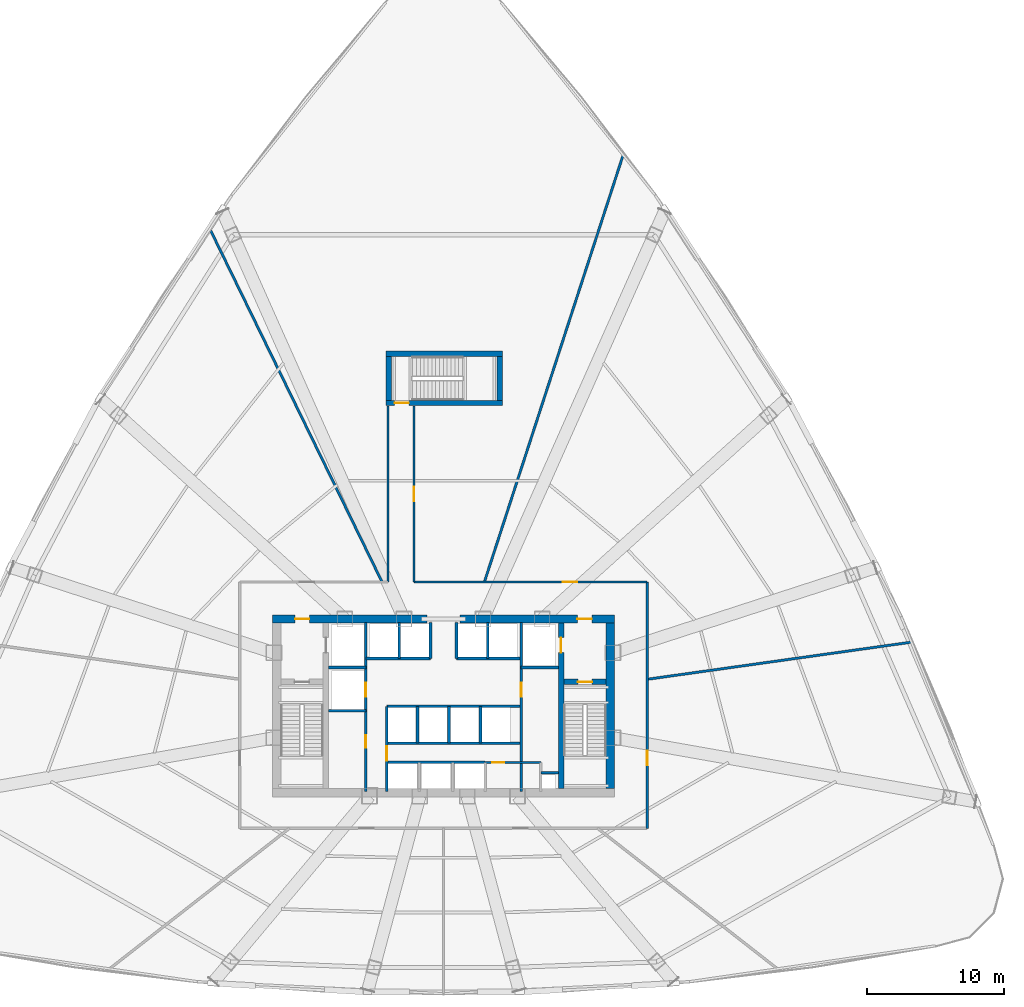
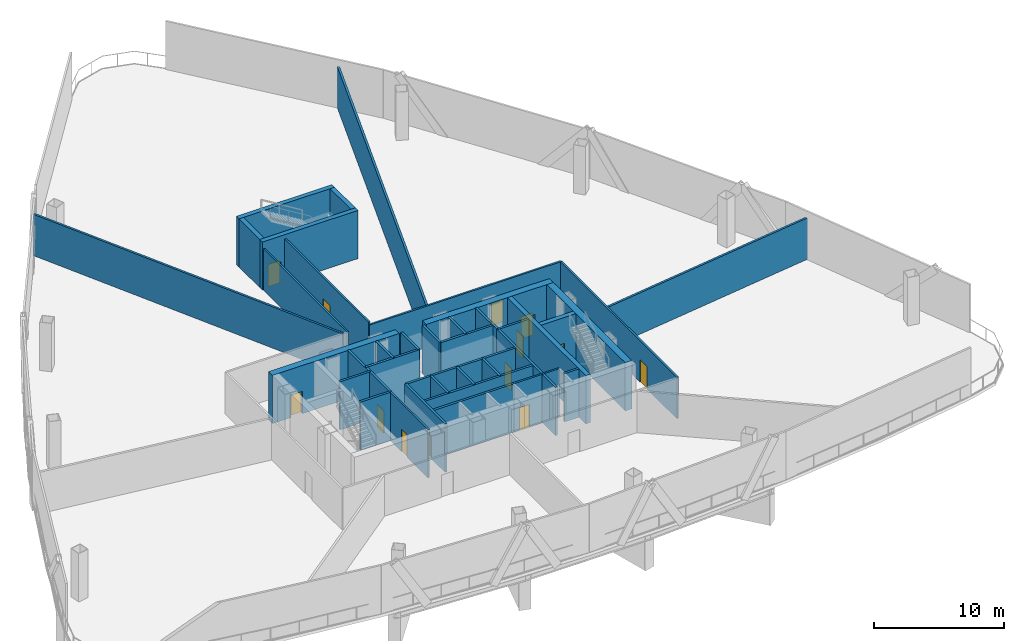
# One storey, part 8 of 15: 38 walls, 13 doors, 13 openings.
"""IFC4 building model written with IfcOpenShell, lengths in metres."""

from ifc_helpers import new_model, si_unit, direction, frame, frame_2d, origin, origin_with_axes, place, context, subcontext, project, spatial, rectangle, extrude, source, transform, mapped, material, layer, layer_set, type_object, element, fill, save


model = new_model("IFC4")

# Units and contexts
model_context = context("Model", 3, precision=1e-05, world=origin(), true_north=direction((0.0, 1.0)))
body_context = subcontext(model_context, "Body", "Model", "MODEL_VIEW")
ifc_project = project(units=[si_unit("LENGTHUNIT", "METRE"), si_unit("AREAUNIT", "SQUARE_METRE"), si_unit("VOLUMEUNIT", "CUBIC_METRE"), si_unit("PLANEANGLEUNIT", "RADIAN"), si_unit("MASSUNIT", "GRAM", prefix="KILO"), si_unit("THERMODYNAMICTEMPERATUREUNIT", "KELVIN"), si_unit("POWERUNIT", "WATT")], contexts=[model_context])

# Site, building, storey
site_placement = place(None, origin())
site = spatial("IfcSite", under=ifc_project, at=site_placement, CompositionType="ELEMENT")
building_placement = place(site_placement, origin())
building = spatial("IfcBuilding", under=site, at=building_placement, Name="Yunzhuo Pagoda Commons", CompositionType="ELEMENT")
storey_placement = place(building_placement, frame((0.0, 0.0, 125.030029296875)))
storey = spatial("IfcBuildingStorey", under=building, at=storey_placement, Name="L31", CompositionType="ELEMENT", Elevation=125.030029296875)

# Wall, opening, door
ifc_material_1 = material(Name="Concrete C60", Category="concrete")
ifc_layer_1 = layer(ifc_material_1, 0.60009765625)
ifc_layer_set_1 = layer_set([ifc_layer_1], Name="Concrete C60")
wall_type_1 = type_object("IfcWallType", Name="W-C02 Mid Core Shear Wall 600", PredefinedType="SHEAR", material=ifc_layer_set_1)
wall_1_placement = place(storey_placement, frame((35.5, 40.199951171875, 0.0), z_axis=(0.0, 0.0, 1.0), x_axis=(1.0, 0.0, 0.0)))
wall_1 = element("IfcWall", 1, at=wall_1_placement, inside=storey, type_object=wall_type_1, Name="L31 core shear wall NW", PredefinedType="SHEAR", context=body_context, shape_type="SweptSolid", body=[
    extrude(rectangle(XDim=11.300048828125, YDim=0.60009765625, at=frame_2d((5.64990234375, 0.0))), origin(), (0.0, 0.0, 1.0), 4.5400390625),
])
opening_1_placement = place(wall_1_placement, frame((1.64990234375, 0.0, 0.0)))
opening_1 = element("IfcOpeningElement", 2, at=opening_1_placement, cuts=wall_1, Name="Opening D-02", PredefinedType="OPENING", context=body_context, shape_type="SweptSolid", body=[
    extrude(rectangle(XDim=1.050048828125, YDim=2.10009765625, at=frame_2d((0.52490234375, 1.050048828125))), frame((0.0, 0.31005859375, 0.0), z_axis=(0.0, -1.0, 0.0), x_axis=(1.0, 0.0, 0.0)), (0.0, 0.0, 1.0), 0.6201171875),
])
ifc_material_2 = material(Name="Galvanized fire-resisting metal leaf")
door_type_1 = type_object("IfcDoorType", Name="D-02 Firefighting Lobby & Refuge Fire Door 1050x2100", OperationType="NOTDEFINED", PredefinedType="DOOR", material=ifc_material_2)
shared_shape_1 = source(origin(), body_context, "Body", "SweptSolid", [
    extrude(rectangle(XDim=1.050048828125, YDim=2.10009765625, at=frame_2d((0.52490234375, 1.050048828125))), frame((0.0, 0.02490234375, 0.0), z_axis=(0.0, -1.0, 0.0), x_axis=(1.0, 0.0, 0.0)), (0.0, 0.0, 1.0), 0.050048828125),
])
door_1_placement = place(opening_1_placement, frame((1.050048828125, 0.0, 0.0), z_axis=(0.0, 0.0, 1.0), x_axis=(-1.0, 0.0, 0.0)))
door_1 = element("IfcDoor", 3, at=door_1_placement, inside=storey, type_object=door_type_1, Name="L31 Firefighting Lobby 1 fire door", OperationType="SINGLE_SWING_LEFT", OverallHeight=2.10009765625, OverallWidth=1.050048828125, PredefinedType="DOOR", context=body_context, shape_type="MappedRepresentation", body=[
    mapped(shared_shape_1, transform((0.0, 0.0, 0.0), scale=1.0)),
])
fill(opening_1, door_1)

wall_2_placement = place(storey_placement, frame((49.199951171875, 40.199951171875, 0.0), z_axis=(0.0, 0.0, 1.0), x_axis=(1.0, 0.0, 0.0)))
wall_2 = element("IfcWall", 4, at=wall_2_placement, inside=storey, type_object=wall_type_1, Name="L31 core shear wall NE", PredefinedType="SHEAR", context=body_context, shape_type="SweptSolid", body=[
    extrude(rectangle(XDim=11.300048828125, YDim=0.60009765625, at=frame_2d((5.64990234375, 0.0))), origin(), (0.0, 0.0, 1.0), 4.5400390625),
])
opening_2_placement = place(wall_2_placement, frame((8.60009765625, 0.0, 0.0)))
opening_2 = element("IfcOpeningElement", 5, at=opening_2_placement, cuts=wall_2, Name="Opening D-02", PredefinedType="OPENING", context=body_context, shape_type="SweptSolid", body=[
    extrude(rectangle(XDim=1.050048828125, YDim=2.10009765625, at=frame_2d((0.52490234375, 1.050048828125))), frame((0.0, 0.31005859375, 0.0), z_axis=(0.0, -1.0, 0.0), x_axis=(1.0, 0.0, 0.0)), (0.0, 0.0, 1.0), 0.6201171875),
])
door_2_placement = place(opening_2_placement, frame((1.050048828125, 0.0, 0.0), z_axis=(0.0, 0.0, 1.0), x_axis=(-1.0, 0.0, 0.0)))
door_2 = element("IfcDoor", 6, at=door_2_placement, inside=storey, type_object=door_type_1, Name="L31 Firefighting Lobby 2 fire door", OperationType="SINGLE_SWING_RIGHT", OverallHeight=2.10009765625, OverallWidth=1.050048828125, PredefinedType="DOOR", context=body_context, shape_type="MappedRepresentation", body=[
    mapped(shared_shape_1, transform((0.0, 0.0, 0.0), scale=1.0)),
])
fill(opening_2, door_2)

# Wall
wall_3_placement = place(storey_placement, frame((60.199951171875, 27.800048828125, 0.0), z_axis=(0.0, 0.0, 1.0), x_axis=(0.0, 1.0, 0.0)))
element("IfcWall", 7, at=wall_3_placement, inside=storey, type_object=wall_type_1, Name="L31 core shear wall E", PredefinedType="SHEAR", context=body_context, shape_type="SweptSolid", body=[
    extrude(rectangle(XDim=12.099853515625, YDim=0.60009765625, at=frame_2d((6.0498046875, 0.0))), origin(), (0.0, 0.0, 1.0), 4.5400390625),
])

# Wall, opening, door
ifc_material_3 = material(Name="Gypsum plasterboard on acoustic stud")
ifc_layer_2 = layer(ifc_material_3, 0.159912109375)
ifc_layer_set_2 = layer_set([ifc_layer_2], Name="Gypsum plasterboard on acoustic stud")
wall_type_2 = type_object("IfcWallType", Name="W-COR1 Tower Rated Corridor Wall 160", PredefinedType="PARTITIONING", material=ifc_layer_set_2)
wall_4_placement = place(storey_placement, frame((42.320068359375, 27.60009765625, 0.0), z_axis=(0.0, 0.0, 1.0), x_axis=(0.0, 1.0, 0.0)))
wall_4 = element("IfcWall", 8, at=wall_4_placement, inside=storey, type_object=wall_type_2, Name="L31 interior wall IW-L31-CSWE", PredefinedType="PARTITIONING", context=body_context, shape_type="SweptSolid", body=[
    extrude(rectangle(XDim=5.89990234375, YDim=0.159912109375, at=frame_2d((2.949951171875, 0.0))), origin(), (0.0, 0.0, 1.0), 4.5400390625),
])
opening_3_placement = place(wall_4_placement, frame((3.199951171875, 0.0, 0.0)))
opening_3 = element("IfcOpeningElement", 9, at=opening_3_placement, cuts=wall_4, Name="Opening D-03", PredefinedType="OPENING", context=body_context, shape_type="SweptSolid", body=[
    extrude(rectangle(XDim=0.89990234375, YDim=2.10009765625, at=frame_2d((0.449951171875, 1.050048828125))), frame((0.0, 0.08984375, 0.0), z_axis=(0.0, -1.0, 0.0), x_axis=(1.0, 0.0, 0.0)), (0.0, 0.0, 1.0), 0.179931640625),
])
door_type_2 = type_object("IfcDoorType", Name="D-03 Core Service Fire Door 900x2100", OperationType="NOTDEFINED", PredefinedType="DOOR", material=ifc_material_2)
shared_shape_2 = source(origin(), body_context, "Body", "SweptSolid", [
    extrude(rectangle(XDim=0.89990234375, YDim=2.10009765625, at=frame_2d((0.449951171875, 1.050048828125))), frame((0.0, 0.02490234375, 0.0), z_axis=(0.0, -1.0, 0.0), x_axis=(1.0, 0.0, 0.0)), (0.0, 0.0, 1.0), 0.050048828125),
])
door_3_placement = place(opening_3_placement, origin_with_axes())
door_3 = element("IfcDoor", 10, at=door_3_placement, inside=storey, type_object=door_type_2, Name="L31 core closet door", OperationType="SINGLE_SWING_LEFT", OverallHeight=2.10009765625, OverallWidth=0.89990234375, PredefinedType="DOOR", context=body_context, shape_type="MappedRepresentation", body=[
    mapped(shared_shape_2, transform((0.0, 0.0, 0.0), scale=1.0)),
])
fill(opening_3, door_3)

wall_5_placement = place(storey_placement, frame((51.050048828125, 29.719970703125, 0.0), z_axis=(0.0, 0.0, 1.0), x_axis=(1.0, 0.0, 0.0)))
wall_5 = element("IfcWall", 11, at=wall_5_placement, inside=storey, type_object=wall_type_2, Name="L31 interior wall IW-L31-CSES", PredefinedType="PARTITIONING", context=body_context, shape_type="SweptSolid", body=[
    extrude(rectangle(XDim=4.070068359375, YDim=0.159912109375, at=frame_2d((2.03515625, 0.0))), origin(), (0.0, 0.0, 1.0), 4.5400390625),
])
opening_4_placement = place(wall_5_placement, frame((0.5, 0.0, 0.0)))
opening_4 = element("IfcOpeningElement", 12, at=opening_4_placement, cuts=wall_5, Name="Opening D-03", PredefinedType="OPENING", context=body_context, shape_type="SweptSolid", body=[
    extrude(rectangle(XDim=0.89990234375, YDim=2.10009765625, at=frame_2d((0.449951171875, 1.050048828125))), frame((0.0, 0.08984375, 0.0), z_axis=(0.0, -1.0, 0.0), x_axis=(1.0, 0.0, 0.0)), (0.0, 0.0, 1.0), 0.179931640625),
])
door_4_placement = place(opening_4_placement, origin_with_axes())
door_4 = element("IfcDoor", 13, at=door_4_placement, inside=storey, type_object=door_type_2, Name="L31 cleaner store door", OperationType="SINGLE_SWING_LEFT", OverallHeight=2.10009765625, OverallWidth=0.89990234375, PredefinedType="DOOR", context=body_context, shape_type="MappedRepresentation", body=[
    mapped(shared_shape_2, transform((0.0, 0.0, 0.0), scale=1.0)),
])
fill(opening_4, door_4)

wall_6_placement = place(storey_placement, frame((45.85009765625, 55.780029296875, 0.0), z_axis=(0.0, 0.0, 1.0), x_axis=(0.0, -1.0, 0.0)))
wall_6 = element("IfcWall", 14, at=wall_6_placement, inside=storey, type_object=wall_type_2, Name="L31 interior wall IW-L31-SCW01", PredefinedType="PARTITIONING", context=body_context, shape_type="SweptSolid", body=[
    extrude(rectangle(XDim=12.880126953125, YDim=0.159912109375, at=frame_2d((6.43994140625, 0.0))), origin(), (0.0, 0.0, 1.0), 4.139892578125),
])
opening_5_placement = place(wall_6_placement, frame((5.9150390625, 0.0, 0.0)))
opening_5 = element("IfcOpeningElement", 15, at=opening_5_placement, cuts=wall_6, Name="Opening D-02", PredefinedType="OPENING", context=body_context, shape_type="SweptSolid", body=[
    extrude(rectangle(XDim=1.050048828125, YDim=2.10009765625, at=frame_2d((0.52490234375, 1.050048828125))), frame((0.0, 0.08984375, 0.0), z_axis=(0.0, -1.0, 0.0), x_axis=(1.0, 0.0, 0.0)), (0.0, 0.0, 1.0), 0.179931640625),
])
door_5_placement = place(opening_5_placement, origin_with_axes())
door_5 = element("IfcDoor", 16, at=door_5_placement, inside=storey, type_object=door_type_1, Name="L31 North Refuge Area door", OperationType="SINGLE_SWING_RIGHT", OverallHeight=2.10009765625, OverallWidth=1.050048828125, PredefinedType="DOOR", context=body_context, shape_type="MappedRepresentation", body=[
    mapped(shared_shape_1, transform((0.0, 0.0, 0.0), scale=1.0)),
])
fill(opening_5, door_5)

wall_7_placement = place(storey_placement, frame((45.85009765625, 42.89990234375, 0.0), z_axis=(0.0, 0.0, 1.0), x_axis=(1.0, 0.0, 0.0)))
wall_7 = element("IfcWall", 17, at=wall_7_placement, inside=storey, type_object=wall_type_2, Name="L31 interior wall IW-L31-SCW02", PredefinedType="PARTITIONING", context=body_context, shape_type="SweptSolid", body=[
    extrude(rectangle(XDim=17.0498046875, YDim=0.159912109375, at=frame_2d((8.52490234375, 0.0))), origin(), (0.0, 0.0, 1.0), 3.889892578125),
])
opening_6_placement = place(wall_7_placement, frame((10.86962890625, 0.0, 0.0)))
opening_6 = element("IfcOpeningElement", 18, at=opening_6_placement, cuts=wall_7, Name="Opening D-02", PredefinedType="OPENING", context=body_context, shape_type="SweptSolid", body=[
    extrude(rectangle(XDim=1.050048828125, YDim=2.10009765625, at=frame_2d((0.52490234375, 1.050048828125))), frame((0.0, 0.08984375, 0.0), z_axis=(0.0, -1.0, 0.0), x_axis=(1.0, 0.0, 0.0)), (0.0, 0.0, 1.0), 0.179931640625),
])
door_6_placement = place(opening_6_placement, origin_with_axes())
door_6 = element("IfcDoor", 19, at=door_6_placement, inside=storey, type_object=door_type_1, Name="L31 Water Break Tank Plant Room door", OperationType="SINGLE_SWING_LEFT", OverallHeight=2.10009765625, OverallWidth=1.050048828125, PredefinedType="DOOR", context=body_context, shape_type="MappedRepresentation", body=[
    mapped(shared_shape_1, transform((0.0, 0.0, 0.0), scale=1.0)),
])
fill(opening_6, door_6)

wall_8_placement = place(storey_placement, frame((62.89990234375, 42.89990234375, 0.0), z_axis=(0.0, 0.0, 1.0), x_axis=(0.0, -1.0, 0.0)))
wall_8 = element("IfcWall", 20, at=wall_8_placement, inside=storey, type_object=wall_type_2, Name="L31 interior wall IW-L31-SCW03", PredefinedType="PARTITIONING", context=body_context, shape_type="SweptSolid", body=[
    extrude(rectangle(XDim=18.0, YDim=0.159912109375, at=frame_2d((9.0, 0.0))), origin(), (0.0, 0.0, 1.0), 3.889892578125),
])
opening_7_placement = place(wall_8_placement, frame((12.327880859375, 0.0, 0.0)))
opening_7 = element("IfcOpeningElement", 21, at=opening_7_placement, cuts=wall_8, Name="Opening D-02", PredefinedType="OPENING", context=body_context, shape_type="SweptSolid", body=[
    extrude(rectangle(XDim=1.050048828125, YDim=2.10009765625, at=frame_2d((0.52490234375, 1.050048828125))), frame((0.0, 0.08984375, 0.0), z_axis=(0.0, -1.0, 0.0), x_axis=(1.0, 0.0, 0.0)), (0.0, 0.0, 1.0), 0.179931640625),
])
door_7_placement = place(opening_7_placement, origin_with_axes())
door_7 = element("IfcDoor", 22, at=door_7_placement, inside=storey, type_object=door_type_1, Name="L31 Smoke Pressurisation Plant Room door", OperationType="SINGLE_SWING_LEFT", OverallHeight=2.10009765625, OverallWidth=1.050048828125, PredefinedType="DOOR", context=body_context, shape_type="MappedRepresentation", body=[
    mapped(shared_shape_1, transform((0.0, 0.0, 0.0), scale=1.0)),
])
fill(opening_7, door_7)

# Walls
wall_9_placement = place(storey_placement, frame((43.949951171875, 42.89990234375, 0.0), z_axis=(0.0, 0.0, 1.0), x_axis=(0.0, 1.0, 0.0)))
element("IfcWall", 23, at=wall_9_placement, inside=storey, type_object=wall_type_2, Name="L31 interior wall IW-L31-SCW07", PredefinedType="PARTITIONING", context=body_context, shape_type="SweptSolid", body=[
    extrude(rectangle(XDim=12.880126953125, YDim=0.159912109375, at=frame_2d((6.43994140625, 0.0))), origin(), (0.0, 0.0, 1.0), 3.889892578125),
])
ifc_layer_3 = layer(ifc_material_3, 0.179931640625)
ifc_layer_set_3 = layer_set([ifc_layer_3], Name="Gypsum plasterboard on acoustic stud")
wall_type_3 = type_object("IfcWallType", Name="W-PRT2 Acoustic Unit Demising Wall 180", PredefinedType="PARTITIONING", material=ifc_layer_set_3)
wall_10_placement = place(storey_placement, frame((62.89990234375, 35.794189453125, 0.0), z_axis=(0.0, 0.0, 1.0), x_axis=(0.990268733373, 0.13916837178, 0.0)))
element("IfcWall", 24, at=wall_10_placement, inside=storey, type_object=wall_type_3, Name="L31 interior wall IW-L31-SRAD1", PredefinedType="PARTITIONING", context=body_context, shape_type="SweptSolid", body=[
    extrude(rectangle(XDim=19.512939453125, YDim=0.179931640625, at=frame_2d((9.75634765625, 0.0))), origin(), (0.0, 0.0, 1.0), 3.889892578125),
])
wall_11_placement = place(storey_placement, frame((50.9892578125, 42.89990234375, 0.0), z_axis=(0.0, 0.0, 1.0), x_axis=(0.309014626383, 0.951057285699, 0.0)))
element("IfcWall", 25, at=wall_11_placement, inside=storey, type_object=wall_type_3, Name="L31 interior wall IW-L31-SRAD2", PredefinedType="PARTITIONING", context=body_context, shape_type="SweptSolid", body=[
    extrude(rectangle(XDim=32.8388671875, YDim=0.179931640625, at=frame_2d((16.41943359375, 0.0))), origin(), (0.0, 0.0, 1.0), 3.889892578125),
])
wall_12_placement = place(storey_placement, frame((43.512939453125, 42.89990234375, 0.0), z_axis=(0.0, 0.0, 1.0), x_axis=(-0.438371753417, 0.898793750427, 0.0)))
element("IfcWall", 26, at=wall_12_placement, inside=storey, type_object=wall_type_3, Name="L31 interior wall IW-L31-SRAD3", PredefinedType="PARTITIONING", context=body_context, shape_type="SweptSolid", body=[
    extrude(rectangle(XDim=28.742919921875, YDim=0.179931640625, at=frame_2d((14.37158203125, 0.0))), origin(), (0.0, 0.0, 1.0), 3.889892578125),
])

# Wall, opening, door
ifc_layer_4 = layer(ifc_material_1, 0.39990234375)
ifc_layer_set_4 = layer_set([ifc_layer_4], Name="Concrete C60")
wall_type_4 = type_object("IfcWallType", Name="W-S01 Internal Core Shear Web 400", PredefinedType="SHEAR", material=ifc_layer_set_4)
wall_13_placement = place(storey_placement, frame((56.60009765625, 27.800048828125, 0.0), z_axis=(0.0, 0.0, 1.0), x_axis=(0.0, 1.0, 0.0)))
wall_13 = element("IfcWall", 27, at=wall_13_placement, inside=storey, type_object=wall_type_4, Name="L31 core shear wall WEBE", PredefinedType="SHEAR", context=body_context, shape_type="SweptSolid", body=[
    extrude(rectangle(XDim=12.099853515625, YDim=0.39990234375, at=frame_2d((6.0498046875, 0.0))), origin(), (0.0, 0.0, 1.0), 4.5400390625),
])
opening_8_placement = place(wall_13_placement, frame((9.949951171875, 0.0, 0.0)))
opening_8 = element("IfcOpeningElement", 28, at=opening_8_placement, cuts=wall_13, Name="Opening LD-01", PredefinedType="OPENING", context=body_context, shape_type="SweptSolid", body=[
    extrude(rectangle(XDim=1.10009765625, YDim=2.10009765625, at=frame_2d((0.550048828125, 1.050048828125))), frame((0.0, 0.2099609375, 0.0), z_axis=(0.0, -1.0, 0.0), x_axis=(1.0, 0.0, 0.0)), (0.0, 0.0, 1.0), 0.419921875),
])
door_type_3 = type_object("IfcDoorType", Name="LD-01 Firefighting Lift Landing Door 1100x2100", OperationType="DOUBLE_DOOR_SLIDING", PredefinedType="DOOR", material=ifc_material_2)
shared_shape_3 = source(origin(), body_context, "Body", "SweptSolid", [
    extrude(rectangle(XDim=1.10009765625, YDim=2.10009765625, at=frame_2d((0.550048828125, 1.050048828125))), frame((0.0, 0.02490234375, 0.0), z_axis=(0.0, -1.0, 0.0), x_axis=(1.0, 0.0, 0.0)), (0.0, 0.0, 1.0), 0.050048828125),
])
door_8_placement = place(opening_8_placement, origin_with_axes())
door_8 = element("IfcDoor", 29, at=door_8_placement, inside=storey, type_object=door_type_3, Name="L31 Firefighting lift FL-2 landing door", OperationType="DOUBLE_DOOR_SLIDING", OverallHeight=2.10009765625, OverallWidth=1.10009765625, PredefinedType="DOOR", context=body_context, shape_type="MappedRepresentation", body=[
    mapped(shared_shape_3, transform((0.0, 0.0, 0.0), scale=1.0)),
])
fill(opening_8, door_8)

wall_14_placement = place(storey_placement, frame((56.800048828125, 35.60009765625, 0.0), z_axis=(0.0, 0.0, 1.0), x_axis=(1.0, 0.0, 0.0)))
wall_14 = element("IfcWall", 30, at=wall_14_placement, inside=storey, type_object=wall_type_4, Name="L31 core shear wall STE", PredefinedType="SHEAR", context=body_context, shape_type="SweptSolid", body=[
    extrude(rectangle(XDim=3.099853515625, YDim=0.39990234375, at=frame_2d((1.5498046875, 0.0))), origin(), (0.0, 0.0, 1.0), 4.5400390625),
])
opening_9_placement = place(wall_14_placement, frame((1.02001953125, 0.0, 0.0)))
opening_9 = element("IfcOpeningElement", 31, at=opening_9_placement, cuts=wall_14, Name="Opening D-01", PredefinedType="OPENING", context=body_context, shape_type="SweptSolid", body=[
    extrude(rectangle(XDim=1.050048828125, YDim=2.10009765625, at=frame_2d((0.52490234375, 1.050048828125))), frame((0.0, 0.2099609375, 0.0), z_axis=(0.0, -1.0, 0.0), x_axis=(1.0, 0.0, 0.0)), (0.0, 0.0, 1.0), 0.419921875),
])
door_type_4 = type_object("IfcDoorType", Name="D-01 Smokeproof Stair Fire Door 1050x2100", OperationType="NOTDEFINED", PredefinedType="DOOR", material=ifc_material_2)
door_9_placement = place(opening_9_placement, frame((1.050048828125, 0.0, 0.0), z_axis=(0.0, 0.0, 1.0), x_axis=(-1.0, 0.0, 0.0)))
door_9 = element("IfcDoor", 32, at=door_9_placement, inside=storey, type_object=door_type_4, Name="L31 Stair ST2 fire door", OperationType="SINGLE_SWING_RIGHT", OverallHeight=2.10009765625, OverallWidth=1.050048828125, PredefinedType="DOOR", context=body_context, shape_type="MappedRepresentation", body=[
    mapped(shared_shape_1, transform((0.0, 0.0, 0.0), scale=1.0)),
])
fill(opening_9, door_9)

# Wall
wall_15_placement = place(storey_placement, frame((43.800048828125, 59.60009765625, 0.0), z_axis=(0.0, 0.0, 1.0), x_axis=(1.0, 0.0, 0.0)))
element("IfcWall", 33, at=wall_15_placement, inside=storey, type_object=wall_type_4, Name="L31 ST3 structural stair wall N", PredefinedType="SHEAR", context=body_context, shape_type="SweptSolid", body=[
    extrude(rectangle(XDim=8.5, YDim=0.39990234375, at=frame_2d((4.25, 0.0))), origin(), (0.0, 0.0, 1.0), 4.5400390625),
])

# Wall, opening, door
wall_16_placement = place(storey_placement, frame((43.800048828125, 56.0, 0.0), z_axis=(0.0, 0.0, 1.0), x_axis=(1.0, 0.0, 0.0)))
wall_16 = element("IfcWall", 34, at=wall_16_placement, inside=storey, type_object=wall_type_4, Name="L31 ST3 structural stair wall S", PredefinedType="SHEAR", context=body_context, shape_type="SweptSolid", body=[
    extrude(rectangle(XDim=8.5, YDim=0.39990234375, at=frame_2d((4.25, 0.0))), origin(), (0.0, 0.0, 1.0), 4.5400390625),
])
opening_10_placement = place(wall_16_placement, frame((0.6201171875, 0.0, 0.0)))
opening_10 = element("IfcOpeningElement", 35, at=opening_10_placement, cuts=wall_16, Name="Opening D-01", PredefinedType="OPENING", context=body_context, shape_type="SweptSolid", body=[
    extrude(rectangle(XDim=1.050048828125, YDim=2.10009765625, at=frame_2d((0.52490234375, 1.050048828125))), frame((0.0, 0.2099609375, 0.0), z_axis=(0.0, -1.0, 0.0), x_axis=(1.0, 0.0, 0.0)), (0.0, 0.0, 1.0), 0.419921875),
])
door_10_placement = place(opening_10_placement, frame((1.050048828125, 0.0, 0.0), z_axis=(0.0, 0.0, 1.0), x_axis=(-1.0, 0.0, 0.0)))
door_10 = element("IfcDoor", 36, at=door_10_placement, inside=storey, type_object=door_type_4, Name="L31 Stair ST3 fire door", OperationType="SINGLE_SWING_LEFT", OverallHeight=2.10009765625, OverallWidth=1.050048828125, PredefinedType="DOOR", context=body_context, shape_type="MappedRepresentation", body=[
    mapped(shared_shape_1, transform((0.0, 0.0, 0.0), scale=1.0)),
])
fill(opening_10, door_10)

# Walls
for number, where, z_axis, x_axis, name in (
    (37, (44.0, 56.199951171875, 0.0), (0.0, 0.0, 1.0), (0.0, 1.0, 0.0), "L31 ST3 structural stair wall W"),
    (38, (52.10009765625, 56.199951171875, 0.0), (0.0, 0.0, 1.0), (0.0, 1.0, 0.0), "L31 ST3 structural stair wall E"),
):
    element("IfcWall", number, at=place(storey_placement, frame(where, z_axis=z_axis, x_axis=x_axis)), inside=storey, type_object=wall_type_4, Name=name, PredefinedType="SHEAR", context=body_context, shape_type="SweptSolid", body=[
        extrude(rectangle(XDim=3.199951171875, YDim=0.39990234375, at=frame_2d((1.60009765625, 0.0))), origin(), (0.0, 0.0, 1.0), 4.5400390625),
    ])

# Wall, opening, door
ifc_material_4 = material(Name="Concrete C40", Category="concrete")
ifc_layer_5 = layer(ifc_material_4, 0.199951171875)
ifc_layer_set_5 = layer_set([ifc_layer_5], Name="Concrete C40")
wall_type_5 = type_object("IfcWallType", Name="W-SHF Shaft & Stair Enclosure Wall 200", PredefinedType="SOLIDWALL", material=ifc_layer_set_5)
wall_17_placement = place(storey_placement, frame((42.320068359375, 33.5, 0.0), z_axis=(0.0, 0.0, 1.0), x_axis=(0.0, 1.0, 0.0)))
wall_17 = element("IfcWall", 39, at=wall_17_placement, inside=storey, type_object=wall_type_5, Name="L31 interior wall IW-L31-FL1E", PredefinedType="SOLIDWALL", context=body_context, shape_type="SweptSolid", body=[
    extrude(rectangle(XDim=6.449951171875, YDim=0.199951171875, at=frame_2d((3.22509765625, 0.0))), origin(), (0.0, 0.0, 1.0), 4.5400390625),
])
opening_11_placement = place(wall_17_placement, frame((1.0, 0.0, 0.0)))
opening_11 = element("IfcOpeningElement", 40, at=opening_11_placement, cuts=wall_17, Name="Opening LD-02", PredefinedType="OPENING", context=body_context, shape_type="SweptSolid", body=[
    extrude(rectangle(XDim=1.050048828125, YDim=2.10009765625, at=frame_2d((0.52490234375, 1.050048828125))), frame((0.0, 0.10986328125, 0.0), z_axis=(0.0, -1.0, 0.0), x_axis=(1.0, 0.0, 0.0)), (0.0, 0.0, 1.0), 0.219970703125),
])
door_type_5 = type_object("IfcDoorType", Name="LD-02 Passenger Lift Landing Door 1050x2100", OperationType="DOUBLE_DOOR_SLIDING", PredefinedType="DOOR", material=ifc_material_2)
door_11_placement = place(opening_11_placement, origin_with_axes())
door_11 = element("IfcDoor", 41, at=door_11_placement, inside=storey, type_object=door_type_5, Name="L31 Service lift SL-1 landing door", OperationType="DOUBLE_DOOR_SLIDING", OverallHeight=2.10009765625, OverallWidth=1.050048828125, PredefinedType="DOOR", context=body_context, shape_type="MappedRepresentation", body=[
    mapped(shared_shape_1, transform((0.0, 0.0, 0.0), scale=1.0)),
])
fill(opening_11, door_11)

# Walls
for number, where, z_axis, x_axis, name in (
    (42, (39.60009765625, 36.64990234375, 0.0), (0.0, 0.0, 1.0), (1.0, 0.0, 0.0), "L31 interior wall IW-L31-FL1S"),
    (43, (39.60009765625, 33.5, 0.0), (0.0, 0.0, 1.0), (1.0, 0.0, 0.0), "L31 interior wall IW-L31-SL1S"),
):
    element("IfcWall", number, at=place(storey_placement, frame(where, z_axis=z_axis, x_axis=x_axis)), inside=storey, type_object=wall_type_5, Name=name, PredefinedType="SOLIDWALL", context=body_context, shape_type="SweptSolid", body=[
        extrude(rectangle(XDim=2.719970703125, YDim=0.199951171875, at=frame_2d((1.35986328125, 0.0))), origin(), (0.0, 0.0, 1.0), 4.5400390625),
    ])
wall_18_placement = place(storey_placement, frame((53.679931640625, 36.64990234375, 0.0), z_axis=(0.0, 0.0, 1.0), x_axis=(0.0, 1.0, 0.0)))
element("IfcWall", 44, at=wall_18_placement, inside=storey, type_object=wall_type_5, Name="L31 interior wall IW-L31-FL2W", PredefinedType="SOLIDWALL", context=body_context, shape_type="SweptSolid", body=[
    extrude(rectangle(XDim=3.300048828125, YDim=0.199951171875, at=frame_2d((1.64990234375, 0.0))), origin(), (0.0, 0.0, 1.0), 4.5400390625),
])
wall_19_placement = place(storey_placement, frame((53.679931640625, 36.64990234375, 0.0), z_axis=(0.0, 0.0, 1.0), x_axis=(1.0, 0.0, 0.0)))
element("IfcWall", 45, at=wall_19_placement, inside=storey, type_object=wall_type_5, Name="L31 interior wall IW-L31-FL2S", PredefinedType="SOLIDWALL", context=body_context, shape_type="SweptSolid", body=[
    extrude(rectangle(XDim=2.719970703125, YDim=0.199951171875, at=frame_2d((1.35986328125, 0.0))), origin(), (0.0, 0.0, 1.0), 4.5400390625),
])
for number, where, z_axis, x_axis, name in (
    (46, (42.320068359375, 37.320068359375, 0.0), (0.0, 0.0, 1.0), (1.0, 0.0, 0.0), "L31 interior wall IW-L31-LBNW"),
    (47, (48.949951171875, 37.320068359375, 0.0), (0.0, 0.0, 1.0), (1.0, 0.0, 0.0), "L31 interior wall IW-L31-LBNE"),
):
    element("IfcWall", number, at=place(storey_placement, frame(where, z_axis=z_axis, x_axis=x_axis)), inside=storey, type_object=wall_type_5, Name=name, PredefinedType="SOLIDWALL", context=body_context, shape_type="SweptSolid", body=[
        extrude(rectangle(XDim=4.72998046875, YDim=0.199951171875, at=frame_2d((2.364990234375, 0.0))), origin(), (0.0, 0.0, 1.0), 4.5400390625),
    ])
for number, where, z_axis, x_axis, name in (
    (48, (47.050048828125, 37.320068359375, 0.0), (0.0, 0.0, 1.0), (0.0, 1.0, 0.0), "L31 interior wall IW-L31-THRW"),
    (49, (48.949951171875, 37.320068359375, 0.0), (0.0, 0.0, 1.0), (0.0, 1.0, 0.0), "L31 interior wall IW-L31-THRE"),
    (50, (44.77001953125, 37.320068359375, 0.0), (0.0, 0.0, 1.0), (0.0, 1.0, 0.0), "L31 interior wall IW-L31-PLL12"),
    (51, (51.22998046875, 37.320068359375, 0.0), (0.0, 0.0, 1.0), (0.0, 1.0, 0.0), "L31 interior wall IW-L31-PLL34"),
):
    element("IfcWall", number, at=place(storey_placement, frame(where, z_axis=z_axis, x_axis=x_axis)), inside=storey, type_object=wall_type_5, Name=name, PredefinedType="SOLIDWALL", context=body_context, shape_type="SweptSolid", body=[
        extrude(rectangle(XDim=2.6298828125, YDim=0.199951171875, at=frame_2d((1.31494140625, 0.0))), origin(), (0.0, 0.0, 1.0), 4.5400390625),
    ])
wall_20_placement = place(storey_placement, frame((43.85009765625, 33.820068359375, 0.0), z_axis=(0.0, 0.0, 1.0), x_axis=(1.0, 0.0, 0.0)))
element("IfcWall", 52, at=wall_20_placement, inside=storey, type_object=wall_type_5, Name="L31 interior wall IW-L31-MLBS", PredefinedType="SOLIDWALL", context=body_context, shape_type="SweptSolid", body=[
    extrude(rectangle(XDim=9.829833984375, YDim=0.199951171875, at=frame_2d((4.9150390625, 0.0))), origin(), (0.0, 0.0, 1.0), 4.5400390625),
])

# Wall, opening, door
wall_21_placement = place(storey_placement, frame((43.85009765625, 27.60009765625, 0.0), z_axis=(0.0, 0.0, 1.0), x_axis=(0.0, 1.0, 0.0)))
wall_21 = element("IfcWall", 53, at=wall_21_placement, inside=storey, type_object=wall_type_5, Name="L31 interior wall IW-L31-PLMW", PredefinedType="SOLIDWALL", context=body_context, shape_type="SweptSolid", body=[
    extrude(rectangle(XDim=6.219970703125, YDim=0.199951171875, at=frame_2d((3.10986328125, 0.0))), origin(), (0.0, 0.0, 1.0), 4.5400390625),
])
opening_12_placement = place(wall_21_placement, frame((2.25, 0.0, 0.0)))
opening_12 = element("IfcOpeningElement", 54, at=opening_12_placement, cuts=wall_21, Name="Opening D-02", PredefinedType="OPENING", context=body_context, shape_type="SweptSolid", body=[
    extrude(rectangle(XDim=1.050048828125, YDim=2.10009765625, at=frame_2d((0.52490234375, 1.050048828125))), frame((0.0, 0.10986328125, 0.0), z_axis=(0.0, -1.0, 0.0), x_axis=(1.0, 0.0, 0.0)), (0.0, 0.0, 1.0), 0.219970703125),
])
door_12_placement = place(opening_12_placement, frame((1.050048828125, 0.0, 0.0), z_axis=(0.0, 0.0, 1.0), x_axis=(-1.0, 0.0, 0.0)))
door_12 = element("IfcDoor", 55, at=door_12_placement, inside=storey, type_object=door_type_1, Name="L31 High-bank hall west door", OperationType="SINGLE_SWING_LEFT", OverallHeight=2.10009765625, OverallWidth=1.050048828125, PredefinedType="DOOR", context=body_context, shape_type="MappedRepresentation", body=[
    mapped(shared_shape_1, transform((0.0, 0.0, 0.0), scale=1.0)),
])
fill(opening_12, door_12)

wall_22_placement = place(storey_placement, frame((53.679931640625, 27.60009765625, 0.0), z_axis=(0.0, 0.0, 1.0), x_axis=(0.0, 1.0, 0.0)))
wall_22 = element("IfcWall", 56, at=wall_22_placement, inside=storey, type_object=wall_type_5, Name="L31 interior wall IW-L31-PLME", PredefinedType="SOLIDWALL", context=body_context, shape_type="SweptSolid", body=[
    extrude(rectangle(XDim=9.0498046875, YDim=0.199951171875, at=frame_2d((4.52490234375, 0.0))), origin(), (0.0, 0.0, 1.0), 4.5400390625),
])
opening_13_placement = place(wall_22_placement, frame((6.89990234375, 0.0, 0.0)))
opening_13 = element("IfcOpeningElement", 57, at=opening_13_placement, cuts=wall_22, Name="Opening D-02", PredefinedType="OPENING", context=body_context, shape_type="SweptSolid", body=[
    extrude(rectangle(XDim=1.050048828125, YDim=2.10009765625, at=frame_2d((0.52490234375, 1.050048828125))), frame((0.0, 0.10986328125, 0.0), z_axis=(0.0, -1.0, 0.0), x_axis=(1.0, 0.0, 0.0)), (0.0, 0.0, 1.0), 0.219970703125),
])
door_13_placement = place(opening_13_placement, origin_with_axes())
door_13 = element("IfcDoor", 58, at=door_13_placement, inside=storey, type_object=door_type_1, Name="L31 High-bank lift hall door", OperationType="SINGLE_SWING_RIGHT", OverallHeight=2.10009765625, OverallWidth=1.050048828125, PredefinedType="DOOR", context=body_context, shape_type="MappedRepresentation", body=[
    mapped(shared_shape_1, transform((0.0, 0.0, 0.0), scale=1.0)),
])
fill(opening_13, door_13)

# Walls
for number, where, z_axis, x_axis, name in (
    (59, (46.10009765625, 31.1201171875, 0.0), (0.0, 0.0, 1.0), (0.0, 1.0, 0.0), "L31 interior wall IW-L31-PLMD1"),
    (60, (48.39990234375, 31.1201171875, 0.0), (0.0, 0.0, 1.0), (0.0, 1.0, 0.0), "L31 interior wall IW-L31-PLMD2"),
    (61, (50.699951171875, 31.1201171875, 0.0), (0.0, 0.0, 1.0), (0.0, 1.0, 0.0), "L31 interior wall IW-L31-PLMD3"),
):
    element("IfcWall", number, at=place(storey_placement, frame(where, z_axis=z_axis, x_axis=x_axis)), inside=storey, type_object=wall_type_5, Name=name, PredefinedType="SOLIDWALL", context=body_context, shape_type="SweptSolid", body=[
        extrude(rectangle(XDim=2.699951171875, YDim=0.199951171875, at=frame_2d((1.35009765625, 0.0))), origin(), (0.0, 0.0, 1.0), 4.5400390625),
    ])
wall_23_placement = place(storey_placement, frame((43.85009765625, 29.719970703125, 0.0), z_axis=(0.0, 0.0, 1.0), x_axis=(1.0, 0.0, 0.0)))
element("IfcWall", 62, at=wall_23_placement, inside=storey, type_object=wall_type_5, Name="L31 interior wall IW-L31-PLHN", PredefinedType="SOLIDWALL", context=body_context, shape_type="SweptSolid", body=[
    extrude(rectangle(XDim=7.199951171875, YDim=0.199951171875, at=frame_2d((3.60009765625, 0.0))), origin(), (0.0, 0.0, 1.0), 4.5400390625),
])
wall_24_placement = place(storey_placement, frame((43.85009765625, 31.1201171875, 0.0), z_axis=(0.0, 0.0, 1.0), x_axis=(1.0, 0.0, 0.0)))
element("IfcWall", 63, at=wall_24_placement, inside=storey, type_object=wall_type_5, Name="L31 interior wall IW-L31-PLMS2", PredefinedType="SOLIDWALL", context=body_context, shape_type="SweptSolid", body=[
    extrude(rectangle(XDim=9.829833984375, YDim=0.199951171875, at=frame_2d((4.9150390625, 0.0))), origin(), (0.0, 0.0, 1.0), 4.5400390625),
])
wall_25_placement = place(storey_placement, frame((55.1201171875, 28.949951171875, 0.0), z_axis=(0.0, 0.0, 1.0), x_axis=(1.0, 0.0, 0.0)))
element("IfcWall", 64, at=wall_25_placement, inside=storey, type_object=wall_type_5, Name="L31 interior wall IW-L31-RSHFN", PredefinedType="SOLIDWALL", context=body_context, shape_type="SweptSolid", body=[
    extrude(rectangle(XDim=1.27978515625, YDim=0.199951171875, at=frame_2d((0.639892578125, 0.0))), origin(), (0.0, 0.0, 1.0), 4.5400390625),
])

save(model, "model.ifc")
